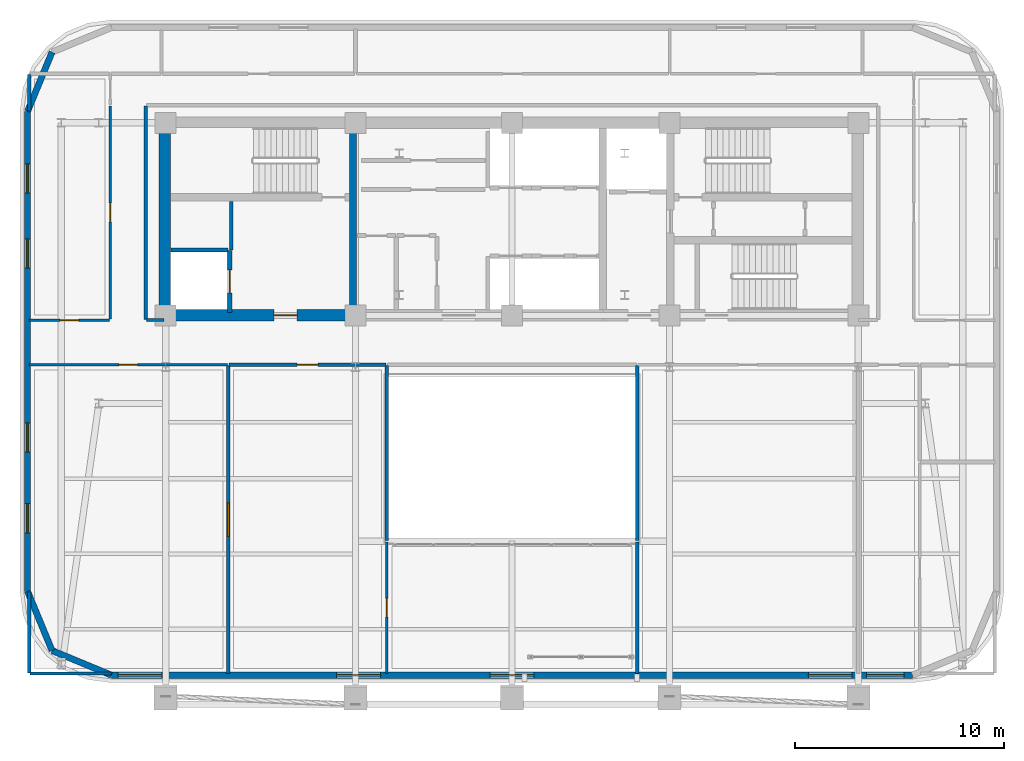
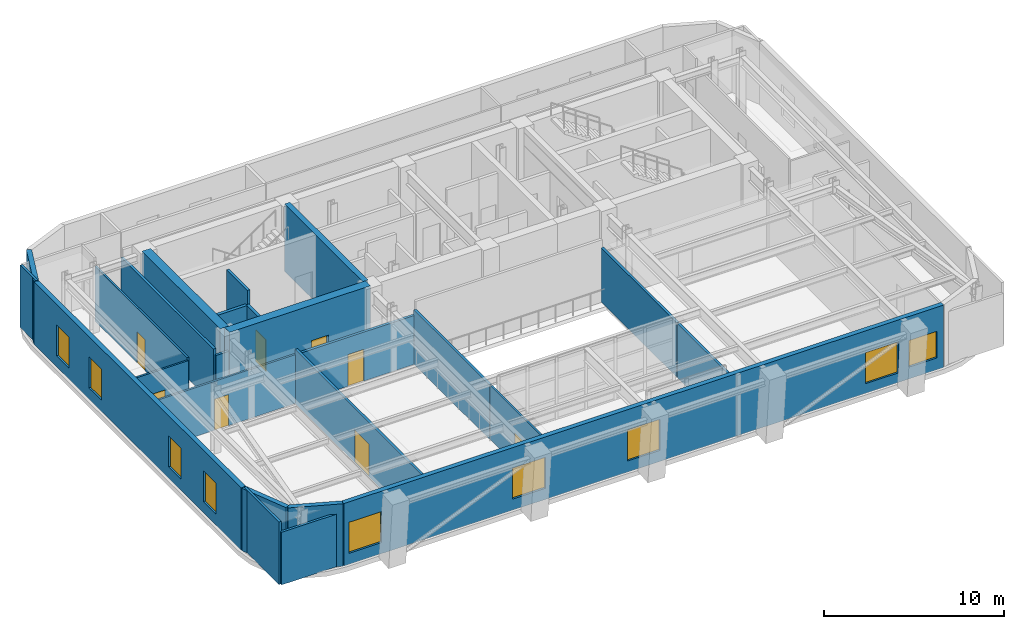
# One storey, part 6 of 13: 25 walls, 9 windows, 8 doors, 17 openings.
"""IFC4 building model written with IfcOpenShell, lengths in metres."""

from ifc_helpers import new_model, si_unit, direction, frame, frame_2d, origin, place, context, subcontext, project, spatial, rectangle, extrude, material, layer, layer_set, type_object, element, fill, save


model = new_model("IFC4")

# Units and contexts
model_context = context("Model", 3, precision=1e-05, world=origin(), true_north=direction((0.0, 1.0)))
body_context = subcontext(model_context, "Body", "Model", "MODEL_VIEW")
ifc_project = project(units=[si_unit("LENGTHUNIT", "METRE"), si_unit("AREAUNIT", "SQUARE_METRE"), si_unit("VOLUMEUNIT", "CUBIC_METRE"), si_unit("PLANEANGLEUNIT", "RADIAN"), si_unit("MASSUNIT", "GRAM", prefix="KILO")], contexts=[model_context])

# Site, building, storey
site_placement = place(None, origin())
site = spatial("IfcSite", under=ifc_project, at=site_placement, CompositionType="ELEMENT")
building_placement = place(site_placement, origin())
building = spatial("IfcBuilding", under=site, at=building_placement, Name="Zarnavel Station Tower", CompositionType="ELEMENT")
storey_placement = place(building_placement, frame((0.0, 0.0, 183.85009765625)))
storey = spatial("IfcBuildingStorey", under=building, at=storey_placement, Name="L50", CompositionType="ELEMENT", Elevation=183.85009765625)

# Wall
ifc_material_1 = material(Name="Concrete C50/60", Category="concrete")
ifc_layer_1 = layer(ifc_material_1, 0.35009765625)
ifc_layer_set_1 = layer_set([ifc_layer_1], Name="CW_350")
wall_type_1 = type_object("IfcWallType", Name="CW_350", PredefinedType="SHEAR", material=ifc_layer_set_1)
wall_1_placement = place(storey_placement, frame((21.179931640625, 28.094970703125, 0.0), z_axis=(0.0, 0.0, 1.0), x_axis=(0.0, 1.0, 0.0)))
element("IfcWall", 1, at=wall_1_placement, inside=storey, type_object=wall_type_1, Name="L50 Rear Core Shear Wall DIV-W", PredefinedType="SHEAR", context=body_context, shape_type="SweptSolid", body=[
    extrude(rectangle(XDim=8.679931640625, YDim=0.35009765625, at=frame_2d((4.33984375, 0.0))), origin(), (0.0, 0.0, 1.0), 4.5498046875),
])

# Wall, opening, door
ifc_material_2 = material(Name="Concrete C50/60", Category="concrete")
ifc_layer_2 = layer(ifc_material_2, 0.550048828125)
ifc_layer_set_2 = layer_set([ifc_layer_2], Name="CW_550")
wall_type_2 = type_object("IfcWallType", Name="CW_550", PredefinedType="SHEAR", material=ifc_layer_set_2)
wall_2_placement = place(storey_placement, frame((21.179931640625, 27.820068359375, 0.0), z_axis=(0.0, 0.0, 1.0), x_axis=(-1.0, 0.0, 0.0)))
wall_2 = element("IfcWall", 2, at=wall_2_placement, inside=storey, type_object=wall_type_2, Name="L50 Rear Core Shear Wall S-W", PredefinedType="SHEAR", context=body_context, shape_type="SweptSolid", body=[
    extrude(rectangle(XDim=9.030029296875, YDim=0.550048828125, at=frame_2d((4.51513671875, 0.0))), origin(), (0.0, 0.0, 1.0), 4.5498046875),
])
opening_1_placement = place(wall_2_placement, frame((2.679931640625, 0.0, 0.0)))
opening_1 = element("IfcOpeningElement", 3, at=opening_1_placement, cuts=wall_2, Name="Opening FD01", PredefinedType="OPENING", context=body_context, shape_type="SweptSolid", body=[
    extrude(rectangle(XDim=1.10009765625, YDim=2.14990234375, at=frame_2d((0.550048828125, 1.074951171875))), frame((0.0, 0.284912109375, 0.0), z_axis=(0.0, -1.0, 0.0), x_axis=(1.0, 0.0, 0.0)), (0.0, 0.0, 1.0), 0.570068359375),
])
ifc_material_3 = material(Name="Painted Galvanised Steel and Hardwood Leaf", Category="steel")
door_type_1 = type_object("IfcDoorType", Name="ID_STAIR_1100", OperationType="NOTDEFINED", PredefinedType="DOOR", material=ifc_material_3)
door_1_placement = place(opening_1_placement, origin())
door_1 = element("IfcDoor", 4, at=door_1_placement, inside=storey, type_object=door_type_1, Name="L50 West Firefighting Lobby Door", OperationType="SINGLE_SWING_RIGHT", OverallHeight=2.14990234375, OverallWidth=1.10009765625, PredefinedType="DOOR", context=body_context, shape_type="SweptSolid", body=[
    extrude(rectangle(XDim=1.10009765625, YDim=2.14990234375, at=frame_2d((0.550048828125, 1.074951171875))), frame((0.0, 0.02490234375, 0.0), z_axis=(0.0, -1.0, 0.0), x_axis=(1.0, 0.0, 0.0)), (0.0, 0.0, 1.0), 0.050048828125),
])
fill(opening_1, door_1)

# Walls
wall_3_placement = place(storey_placement, frame((12.14990234375, 28.094970703125, 0.0), z_axis=(0.0, 0.0, 1.0), x_axis=(0.0, 1.0, 0.0)))
element("IfcWall", 5, at=wall_3_placement, inside=storey, type_object=wall_type_2, Name="L50 Rear Core Shear Wall W", PredefinedType="SHEAR", context=body_context, shape_type="SweptSolid", body=[
    extrude(rectangle(XDim=8.679931640625, YDim=0.550048828125, at=frame_2d((4.33984375, 0.0))), origin(), (0.0, 0.0, 1.0), 4.5498046875),
])
ifc_material_4 = material(Name="Precast concrete C45/55 (Dark Basalt Finish)", Category="masonry")
ifc_layer_3 = layer(ifc_material_4, 0.300048828125)
ifc_layer_set_3 = layer_set([ifc_layer_3], Name="EW_BASALT_300")
wall_type_3 = type_object("IfcWallType", Name="EW_BASALT_300", PredefinedType="SOLIDWALL", material=ifc_layer_set_3)
wall_4_placement = place(storey_placement, frame((5.580078125, 37.60009765625, 0.0), z_axis=(0.0, 0.0, 1.0), x_axis=(0.382636798336, 0.92389884758, 0.0)))
element("IfcWall", 6, at=wall_4_placement, inside=storey, type_object=wall_type_3, Name="L50 Exterior Basalt Masonry Frame Wall 08", PredefinedType="SOLIDWALL", context=body_context, shape_type="SweptSolid", body=[
    extrude(rectangle(XDim=3.07666015625, YDim=0.300048828125, at=frame_2d((1.538330078125, 0.0))), origin(), (0.0, 0.0, 1.0), 4.22998046875),
])

# Wall, openings, windows
wall_5_placement = place(storey_placement, frame((5.580078125, 14.60009765625, 0.0), z_axis=(0.0, 0.0, 1.0), x_axis=(0.0, 1.0, 0.0)))
wall_5 = element("IfcWall", 7, at=wall_5_placement, inside=storey, type_object=wall_type_3, Name="L50 Exterior Basalt Masonry Frame Wall 09", PredefinedType="SOLIDWALL", context=body_context, shape_type="SweptSolid", body=[
    extrude(rectangle(XDim=23.0, YDim=0.300048828125, at=frame_2d((11.5, 0.0))), origin(), (0.0, 0.0, 1.0), 4.22998046875),
])
opening_2_placement = place(wall_5_placement, frame((2.796630859375, 0.0, 0.75)))
opening_2 = element("IfcOpeningElement", 8, at=opening_2_placement, cuts=wall_5, Name="Opening WN04", PredefinedType="OPENING", context=body_context, shape_type="SweptSolid", body=[
    extrude(rectangle(XDim=1.39990234375, YDim=2.10009765625, at=frame_2d((0.699951171875, 1.050048828125))), frame((0.0, 0.159912109375, 0.0), z_axis=(0.0, -1.0, 0.0), x_axis=(1.0, 0.0, 0.0)), (0.0, 0.0, 1.0), 0.320068359375),
])
opening_3_placement = place(wall_5_placement, frame((6.67333984375, 0.0, 0.75)))
opening_3 = element("IfcOpeningElement", 9, at=opening_3_placement, cuts=wall_5, Name="Opening WN04", PredefinedType="OPENING", context=body_context, shape_type="SweptSolid", body=[
    extrude(rectangle(XDim=1.39990234375, YDim=2.10009765625, at=frame_2d((0.699951171875, 1.050048828125))), frame((0.0, 0.159912109375, 0.0), z_axis=(0.0, -1.0, 0.0), x_axis=(1.0, 0.0, 0.0)), (0.0, 0.0, 1.0), 0.320068359375),
])
opening_4_placement = place(wall_5_placement, frame((15.493408203125, 0.0, 0.75)))
opening_4 = element("IfcOpeningElement", 10, at=opening_4_placement, cuts=wall_5, Name="Opening WN04", PredefinedType="OPENING", context=body_context, shape_type="SweptSolid", body=[
    extrude(rectangle(XDim=1.39990234375, YDim=2.10009765625, at=frame_2d((0.699951171875, 1.050048828125))), frame((0.0, 0.159912109375, 0.0), z_axis=(0.0, -1.0, 0.0), x_axis=(1.0, 0.0, 0.0)), (0.0, 0.0, 1.0), 0.320068359375),
])
opening_5_placement = place(wall_5_placement, frame((19.086669921875, 0.0, 0.75)))
opening_5 = element("IfcOpeningElement", 11, at=opening_5_placement, cuts=wall_5, Name="Opening WN04", PredefinedType="OPENING", context=body_context, shape_type="SweptSolid", body=[
    extrude(rectangle(XDim=1.39990234375, YDim=2.10009765625, at=frame_2d((0.699951171875, 1.050048828125))), frame((0.0, 0.159912109375, 0.0), z_axis=(0.0, -1.0, 0.0), x_axis=(1.0, 0.0, 0.0)), (0.0, 0.0, 1.0), 0.320068359375),
])
ifc_material_5 = material(Name="Thermally Broken Black Aluminium and Low-E Dark Glass", Category="aluminium")
window_type_1 = type_object("IfcWindowType", Name="WN_1400x2100", PartitioningType="DOUBLE_PANEL_VERTICAL", PredefinedType="WINDOW", material=ifc_material_5)
window_1_placement = place(opening_2_placement, origin())
window_1 = element("IfcWindow", 12, at=window_1_placement, inside=storey, type_object=window_type_1, Name="L50 Recessed Facade Window 01", OverallHeight=2.10009765625, OverallWidth=1.39990234375, PartitioningType="SINGLE_PANEL", PredefinedType="WINDOW", context=body_context, shape_type="SweptSolid", body=[
    extrude(rectangle(XDim=1.39990234375, YDim=2.10009765625, at=frame_2d((0.699951171875, 1.050048828125))), frame((0.0, 0.030029296875, 0.0), z_axis=(0.0, -1.0, 0.0), x_axis=(1.0, 0.0, 0.0)), (0.0, 0.0, 1.0), 0.06005859375),
])
fill(opening_2, window_1)
window_2_placement = place(opening_3_placement, origin())
window_2 = element("IfcWindow", 13, at=window_2_placement, inside=storey, type_object=window_type_1, Name="L50 Recessed Facade Window 02", OverallHeight=2.10009765625, OverallWidth=1.39990234375, PartitioningType="SINGLE_PANEL", PredefinedType="WINDOW", context=body_context, shape_type="SweptSolid", body=[
    extrude(rectangle(XDim=1.39990234375, YDim=2.10009765625, at=frame_2d((0.699951171875, 1.050048828125))), frame((0.0, 0.030029296875, 0.0), z_axis=(0.0, -1.0, 0.0), x_axis=(1.0, 0.0, 0.0)), (0.0, 0.0, 1.0), 0.06005859375),
])
fill(opening_3, window_2)
window_3_placement = place(opening_4_placement, origin())
window_3 = element("IfcWindow", 14, at=window_3_placement, inside=storey, type_object=window_type_1, Name="L50 Recessed Facade Window 03", OverallHeight=2.10009765625, OverallWidth=1.39990234375, PartitioningType="SINGLE_PANEL", PredefinedType="WINDOW", context=body_context, shape_type="SweptSolid", body=[
    extrude(rectangle(XDim=1.39990234375, YDim=2.10009765625, at=frame_2d((0.699951171875, 1.050048828125))), frame((0.0, 0.030029296875, 0.0), z_axis=(0.0, -1.0, 0.0), x_axis=(1.0, 0.0, 0.0)), (0.0, 0.0, 1.0), 0.06005859375),
])
fill(opening_4, window_3)
window_4_placement = place(opening_5_placement, origin())
window_4 = element("IfcWindow", 15, at=window_4_placement, inside=storey, type_object=window_type_1, Name="L50 Recessed Facade Window 04", OverallHeight=2.10009765625, OverallWidth=1.39990234375, PartitioningType="SINGLE_PANEL", PredefinedType="WINDOW", context=body_context, shape_type="SweptSolid", body=[
    extrude(rectangle(XDim=1.39990234375, YDim=2.10009765625, at=frame_2d((0.699951171875, 1.050048828125))), frame((0.0, 0.030029296875, 0.0), z_axis=(0.0, -1.0, 0.0), x_axis=(1.0, 0.0, 0.0)), (0.0, 0.0, 1.0), 0.06005859375),
])
fill(opening_5, window_4)

# Walls
for number, where, z_axis, x_axis, name in (
    (16, (6.75732421875, 11.75732421875, 0.0), (0.0, 0.0, 1.0), (-0.382608747773, 0.923910464346, 0.0), "L50 Exterior Basalt Masonry Frame Wall 10"),
    (17, (9.60009765625, 10.580078125, 0.0), (0.0, 0.0, 1.0), (-0.923910464346, 0.382608747773, 0.0), "L50 Exterior Basalt Masonry Frame Wall 11"),
):
    element("IfcWall", number, at=place(storey_placement, frame(where, z_axis=z_axis, x_axis=x_axis)), inside=storey, type_object=wall_type_3, Name=name, PredefinedType="SOLIDWALL", context=body_context, shape_type="SweptSolid", body=[
        extrude(rectangle(XDim=3.076904296875, YDim=0.300048828125, at=frame_2d((1.53857421875, 0.0))), origin(), (0.0, 0.0, 1.0), 4.22998046875),
    ])

# Wall, openings, windows
wall_6_placement = place(storey_placement, frame((48.0, 10.580078125, 0.0), z_axis=(0.0, 0.0, 1.0), x_axis=(-1.0, 0.0, 0.0)))
wall_6 = element("IfcWall", 18, at=wall_6_placement, inside=storey, type_object=wall_type_3, Name="L50 Exterior Basalt Masonry Frame Wall 12", PredefinedType="SOLIDWALL", context=body_context, shape_type="SweptSolid", body=[
    extrude(rectangle(XDim=38.39990234375, YDim=0.300048828125, at=frame_2d((19.199951171875, 0.0))), origin(), (0.0, 0.0, 1.0), 4.22998046875),
])
opening_6_placement = place(wall_6_placement, frame((35.97998046875, 0.0, 0.75)))
opening_6 = element("IfcOpeningElement", 19, at=opening_6_placement, cuts=wall_6, Name="Opening WN05", PredefinedType="OPENING", context=body_context, shape_type="SweptSolid", body=[
    extrude(rectangle(XDim=2.10009765625, YDim=2.10009765625, at=frame_2d((1.050048828125, 1.050048828125))), frame((0.0, 0.159912109375, 0.0), z_axis=(0.0, -1.0, 0.0), x_axis=(1.0, 0.0, 0.0)), (0.0, 0.0, 1.0), 0.320068359375),
])
opening_7_placement = place(wall_6_placement, frame((25.5, 0.0, 0.75)))
opening_7 = element("IfcOpeningElement", 20, at=opening_7_placement, cuts=wall_6, Name="Opening WN05", PredefinedType="OPENING", context=body_context, shape_type="SweptSolid", body=[
    extrude(rectangle(XDim=2.10009765625, YDim=2.10009765625, at=frame_2d((1.050048828125, 1.050048828125))), frame((0.0, 0.159912109375, 0.0), z_axis=(0.0, -1.0, 0.0), x_axis=(1.0, 0.0, 0.0)), (0.0, 0.0, 1.0), 0.320068359375),
])
opening_8_placement = place(wall_6_placement, frame((18.14990234375, 0.0, 0.75)))
opening_8 = element("IfcOpeningElement", 21, at=opening_8_placement, cuts=wall_6, Name="Opening WN05", PredefinedType="OPENING", context=body_context, shape_type="SweptSolid", body=[
    extrude(rectangle(XDim=2.10009765625, YDim=2.10009765625, at=frame_2d((1.050048828125, 1.050048828125))), frame((0.0, 0.159912109375, 0.0), z_axis=(0.0, -1.0, 0.0), x_axis=(1.0, 0.0, 0.0)), (0.0, 0.0, 1.0), 0.320068359375),
])
opening_9_placement = place(wall_6_placement, frame((2.89990234375, 0.0, 0.64990234375)))
opening_9 = element("IfcOpeningElement", 22, at=opening_9_placement, cuts=wall_6, Name="Opening WN05", PredefinedType="OPENING", context=body_context, shape_type="SweptSolid", body=[
    extrude(rectangle(XDim=2.10009765625, YDim=2.10009765625, at=frame_2d((1.050048828125, 1.050048828125))), frame((0.0, 0.159912109375, 0.0), z_axis=(0.0, -1.0, 0.0), x_axis=(1.0, 0.0, 0.0)), (0.0, 0.0, 1.0), 0.320068359375),
])
opening_10_placement = place(wall_6_placement, frame((0.409912109375, 0.0, 0.800048828125)))
opening_10 = element("IfcOpeningElement", 23, at=opening_10_placement, cuts=wall_6, Name="Opening WN02", PredefinedType="OPENING", context=body_context, shape_type="SweptSolid", body=[
    extrude(rectangle(XDim=1.800048828125, YDim=1.800048828125, at=frame_2d((0.89990234375, 0.89990234375))), frame((0.0, 0.159912109375, 0.0), z_axis=(0.0, -1.0, 0.0), x_axis=(1.0, 0.0, 0.0)), (0.0, 0.0, 1.0), 0.320068359375),
])
ifc_material_6 = material(Name="Thermally Broken Black Aluminium and Low-E Dark Glass", Category="aluminium")
window_type_2 = type_object("IfcWindowType", Name="WN_1800x1800", PartitioningType="DOUBLE_PANEL_VERTICAL", PredefinedType="WINDOW", material=ifc_material_6)
window_5_placement = place(opening_10_placement, origin())
window_5 = element("IfcWindow", 24, at=window_5_placement, inside=storey, type_object=window_type_2, Name="L50 Recessed Facade Window 05", OverallHeight=1.800048828125, OverallWidth=1.800048828125, PartitioningType="SINGLE_PANEL", PredefinedType="WINDOW", context=body_context, shape_type="SweptSolid", body=[
    extrude(rectangle(XDim=1.800048828125, YDim=1.800048828125, at=frame_2d((0.89990234375, 0.89990234375))), frame((0.0, 0.030029296875, 0.0), z_axis=(0.0, -1.0, 0.0), x_axis=(1.0, 0.0, 0.0)), (0.0, 0.0, 1.0), 0.06005859375),
])
fill(opening_10, window_5)
ifc_material_7 = material(Name="Thermally Broken Black Aluminium and Low-E Dark Glass", Category="aluminium")
window_type_3 = type_object("IfcWindowType", Name="WN_2100x2100", PartitioningType="TRIPLE_PANEL_VERTICAL", PredefinedType="WINDOW", material=ifc_material_7)
window_6_placement = place(opening_6_placement, origin())
window_6 = element("IfcWindow", 25, at=window_6_placement, inside=storey, type_object=window_type_3, Name="L50 Recessed Facade Window 01", OverallHeight=2.10009765625, OverallWidth=2.10009765625, PartitioningType="SINGLE_PANEL", PredefinedType="WINDOW", context=body_context, shape_type="SweptSolid", body=[
    extrude(rectangle(XDim=2.10009765625, YDim=2.10009765625, at=frame_2d((1.050048828125, 1.050048828125))), frame((0.0, 0.030029296875, 0.0), z_axis=(0.0, -1.0, 0.0), x_axis=(1.0, 0.0, 0.0)), (0.0, 0.0, 1.0), 0.06005859375),
])
fill(opening_6, window_6)
window_7_placement = place(opening_7_placement, origin())
window_7 = element("IfcWindow", 26, at=window_7_placement, inside=storey, type_object=window_type_3, Name="L50 Recessed Facade Window 02", OverallHeight=2.10009765625, OverallWidth=2.10009765625, PartitioningType="SINGLE_PANEL", PredefinedType="WINDOW", context=body_context, shape_type="SweptSolid", body=[
    extrude(rectangle(XDim=2.10009765625, YDim=2.10009765625, at=frame_2d((1.050048828125, 1.050048828125))), frame((0.0, 0.030029296875, 0.0), z_axis=(0.0, -1.0, 0.0), x_axis=(1.0, 0.0, 0.0)), (0.0, 0.0, 1.0), 0.06005859375),
])
fill(opening_7, window_7)
window_8_placement = place(opening_8_placement, origin())
window_8 = element("IfcWindow", 27, at=window_8_placement, inside=storey, type_object=window_type_3, Name="L50 Recessed Facade Window 03", OverallHeight=2.10009765625, OverallWidth=2.10009765625, PartitioningType="SINGLE_PANEL", PredefinedType="WINDOW", context=body_context, shape_type="SweptSolid", body=[
    extrude(rectangle(XDim=2.10009765625, YDim=2.10009765625, at=frame_2d((1.050048828125, 1.050048828125))), frame((0.0, 0.030029296875, 0.0), z_axis=(0.0, -1.0, 0.0), x_axis=(1.0, 0.0, 0.0)), (0.0, 0.0, 1.0), 0.06005859375),
])
fill(opening_8, window_8)
window_9_placement = place(opening_9_placement, origin())
window_9 = element("IfcWindow", 28, at=window_9_placement, inside=storey, type_object=window_type_3, Name="L50 Recessed Facade Window 04", OverallHeight=2.10009765625, OverallWidth=2.10009765625, PartitioningType="SINGLE_PANEL", PredefinedType="WINDOW", context=body_context, shape_type="SweptSolid", body=[
    extrude(rectangle(XDim=2.10009765625, YDim=2.10009765625, at=frame_2d((1.050048828125, 1.050048828125))), frame((0.0, 0.030029296875, 0.0), z_axis=(0.0, -1.0, 0.0), x_axis=(1.0, 0.0, 0.0)), (0.0, 0.0, 1.0), 0.06005859375),
])
fill(opening_9, window_9)

# Wall, opening, door
ifc_material_8 = material(Name="Gypsum Twin-Stud Acoustic Fire Partition", Category="concrete")
ifc_layer_4 = layer(ifc_material_8, 0.159912109375)
ifc_layer_set_4 = layer_set([ifc_layer_4], Name="PT_DEMISE_160")
wall_type_4 = type_object("IfcWallType", Name="PT_DEMISE_160", PredefinedType="PARTITIONING", material=ifc_layer_set_4)
wall_7_placement = place(storey_placement, frame((15.239990234375, 25.449951171875, 0.0), z_axis=(0.0, 0.0, 1.0), x_axis=(1.0, 0.0, 0.0)))
wall_7 = element("IfcWall", 29, at=wall_7_placement, inside=storey, type_object=wall_type_4, Name="L50 Partition SLCOR-S-SLLNG", PredefinedType="PARTITIONING", context=body_context, shape_type="SweptSolid", body=[
    extrude(rectangle(XDim=7.52001953125, YDim=0.159912109375, at=frame_2d((3.760009765625, 0.0))), origin(), (0.0, 0.0, 1.0), 3.309814453125),
])
opening_11_placement = place(wall_7_placement, frame((3.260009765625, 0.0, 0.0)))
opening_11 = element("IfcOpeningElement", 30, at=opening_11_placement, cuts=wall_7, Name="Opening FD02", PredefinedType="OPENING", context=body_context, shape_type="SweptSolid", body=[
    extrude(rectangle(XDim=1.0, YDim=2.14990234375, at=frame_2d((0.5, 1.074951171875))), frame((0.0, 0.08984375, 0.0), z_axis=(0.0, -1.0, 0.0), x_axis=(1.0, 0.0, 0.0)), (0.0, 0.0, 1.0), 0.179931640625),
])
ifc_material_9 = material(Name="Painted Galvanised Steel and Hardwood Leaf", Category="steel")
door_type_2 = type_object("IfcDoorType", Name="ID_ENTRY_1000", OperationType="NOTDEFINED", PredefinedType="DOOR", material=ifc_material_9)
door_2_placement = place(opening_11_placement, origin())
door_2 = element("IfcDoor", 31, at=door_2_placement, inside=storey, type_object=door_type_2, Name="L50 Door SLCOR-S-SLLNG", OperationType="SINGLE_SWING_RIGHT", OverallHeight=2.14990234375, OverallWidth=1.0, PredefinedType="DOOR", context=body_context, shape_type="SweptSolid", body=[
    extrude(rectangle(XDim=1.0, YDim=2.14990234375, at=frame_2d((0.5, 1.074951171875))), frame((0.0, 0.02490234375, 0.0), z_axis=(0.0, -1.0, 0.0), x_axis=(1.0, 0.0, 0.0)), (0.0, 0.0, 1.0), 0.050048828125),
])
fill(opening_11, door_2)

wall_8_placement = place(storey_placement, frame((15.199951171875, 10.659912109375, 0.0), z_axis=(0.0, 0.0, 1.0), x_axis=(0.0, 1.0, 0.0)))
wall_8 = element("IfcWall", 32, at=wall_8_placement, inside=storey, type_object=wall_type_4, Name="L50 Partition SLREC-SLLNG", PredefinedType="PARTITIONING", context=body_context, shape_type="SweptSolid", body=[
    extrude(rectangle(XDim=14.75, YDim=0.159912109375, at=frame_2d((7.375, 0.0))), origin(), (0.0, 0.0, 1.0), 3.659912109375),
])
opening_12_placement = place(wall_8_placement, frame((6.574951171875, 0.0, 0.0)))
opening_12 = element("IfcOpeningElement", 33, at=opening_12_placement, cuts=wall_8, Name="Opening ID03", PredefinedType="OPENING", context=body_context, shape_type="SweptSolid", body=[
    extrude(rectangle(XDim=1.60009765625, YDim=2.199951171875, at=frame_2d((0.800048828125, 1.10009765625))), frame((0.0, 0.08984375, 0.0), z_axis=(0.0, -1.0, 0.0), x_axis=(1.0, 0.0, 0.0)), (0.0, 0.0, 1.0), 0.179931640625),
])
ifc_material_10 = material(Name="Painted Galvanised Steel and Hardwood Leaf", Category="steel")
door_type_3 = type_object("IfcDoorType", Name="ID_PUBLIC_1600", OperationType="DOUBLE_DOOR_SINGLE_SWING", PredefinedType="DOOR", material=ifc_material_10)
door_3_placement = place(opening_12_placement, origin())
door_3 = element("IfcDoor", 34, at=door_3_placement, inside=storey, type_object=door_type_3, Name="L50 Door SLREC-SLLNG", OperationType="SINGLE_SWING_LEFT", OverallHeight=2.199951171875, OverallWidth=1.60009765625, PredefinedType="DOOR", context=body_context, shape_type="SweptSolid", body=[
    extrude(rectangle(XDim=1.60009765625, YDim=2.199951171875, at=frame_2d((0.800048828125, 1.10009765625))), frame((0.0, 0.02490234375, 0.0), z_axis=(0.0, -1.0, 0.0), x_axis=(1.0, 0.0, 0.0)), (0.0, 0.0, 1.0), 0.050048828125),
])
fill(opening_12, door_3)

# Walls
wall_9_placement = place(storey_placement, frame((34.800048828125, 10.659912109375, 0.0), z_axis=(0.0, 0.0, 1.0), x_axis=(0.0, 1.0, 0.0)))
element("IfcWall", 35, at=wall_9_placement, inside=storey, type_object=wall_type_4, Name="L50 Partition SLBAR-SLSAL", PredefinedType="PARTITIONING", context=body_context, shape_type="SweptSolid", body=[
    extrude(rectangle(XDim=6.300048828125, YDim=0.159912109375, at=frame_2d((3.14990234375, 0.0))), origin(), (0.0, 0.0, 1.0), 3.669921875),
])
wall_10_placement = place(storey_placement, frame((15.35009765625, 30.9599609375, 0.0), z_axis=(0.0, 0.0, 1.0), x_axis=(0.0, 1.0, 0.0)))
element("IfcWall", 36, at=wall_10_placement, inside=storey, type_object=wall_type_4, Name="L50 Enclosure Wall FFL1", PredefinedType="PARTITIONING", context=body_context, shape_type="SweptSolid", body=[
    extrude(rectangle(XDim=2.31005859375, YDim=0.159912109375, at=frame_2d((1.155029296875, 0.0))), origin(), (0.0, 0.0, 1.0), 4.22998046875),
])
wall_11_placement = place(storey_placement, frame((11.280029296875, 27.60009765625, 0.0), z_axis=(0.0, 0.0, 1.0), x_axis=(1.0, 0.0, 0.0)))
element("IfcWall", 37, at=wall_11_placement, inside=storey, type_object=wall_type_4, Name="L50 Enclosure Wall SLCOR-S", PredefinedType="PARTITIONING", context=body_context, shape_type="SweptSolid", body=[
    extrude(rectangle(XDim=0.840087890625, YDim=0.159912109375, at=frame_2d((0.419921875, 0.0))), origin(), (0.0, 0.0, 1.0), 3.2998046875),
])
wall_12_placement = place(storey_placement, frame((11.25, 27.6298828125, 0.0), z_axis=(0.0, 0.0, 1.0), x_axis=(0.0, 1.0, 0.0)))
element("IfcWall", 38, at=wall_12_placement, inside=storey, type_object=wall_type_4, Name="L50 Enclosure Wall SLCOR-W", PredefinedType="PARTITIONING", context=body_context, shape_type="SweptSolid", body=[
    extrude(rectangle(XDim=10.240234375, YDim=0.159912109375, at=frame_2d((5.1201171875, 0.0))), origin(), (0.0, 0.0, 1.0), 3.7099609375),
])
wall_13_placement = place(storey_placement, frame((5.68994140625, 10.659912109375, 0.0), z_axis=(0.0, 0.0, 1.0), x_axis=(1.0, 0.0, 0.0)))
element("IfcWall", 39, at=wall_13_placement, inside=storey, type_object=wall_type_4, Name="L50 Enclosure Wall SLREC", PredefinedType="PARTITIONING", context=body_context, shape_type="SweptSolid", body=[
    extrude(rectangle(XDim=3.880126953125, YDim=0.159912109375, at=frame_2d((1.93994140625, 0.0))), origin(), (0.0, 0.0, 1.0), 3.559814453125),
])
wall_14_placement = place(storey_placement, frame((5.659912109375, 10.68994140625, 0.0), z_axis=(0.0, 0.0, 1.0), x_axis=(0.0, 1.0, 0.0)))
element("IfcWall", 40, at=wall_14_placement, inside=storey, type_object=wall_type_4, Name="L50 Enclosure Wall SLREC", PredefinedType="PARTITIONING", context=body_context, shape_type="SweptSolid", body=[
    extrude(rectangle(XDim=3.880126953125, YDim=0.159912109375, at=frame_2d((1.93994140625, 0.0))), origin(), (0.0, 0.0, 1.0), 4.22998046875),
])
for number, where, z_axis, x_axis, name in (
    (41, (22.800048828125, 17.030029296875, 0.0), (0.0, 0.0, 1.0), (0.0, 1.0, 0.0), "L50 Enclosure Wall SLLNG"),
    (42, (34.800048828125, 17.030029296875, 0.0), (0.0, 0.0, 1.0), (0.0, 1.0, 0.0), "L50 Enclosure Wall SLSAL"),
):
    element("IfcWall", number, at=place(storey_placement, frame(where, z_axis=z_axis, x_axis=x_axis)), inside=storey, type_object=wall_type_4, Name=name, PredefinedType="PARTITIONING", context=body_context, shape_type="SweptSolid", body=[
        extrude(rectangle(XDim=8.389892578125, YDim=0.159912109375, at=frame_2d((4.19482421875, 0.0))), origin(), (0.0, 0.0, 1.0), 3.669921875),
    ])
wall_15_placement = place(storey_placement, frame((5.659912109375, 37.6298828125, 0.0), z_axis=(0.0, 0.0, 1.0), x_axis=(0.0, 1.0, 0.0)))
element("IfcWall", 43, at=wall_15_placement, inside=storey, type_object=wall_type_4, Name="L50 Enclosure Wall SLNW", PredefinedType="PARTITIONING", context=body_context, shape_type="SweptSolid", body=[
    extrude(rectangle(XDim=1.740234375, YDim=0.159912109375, at=frame_2d((0.8701171875, 0.0))), origin(), (0.0, 0.0, 1.0), 4.22998046875),
])

# Wall, opening, door
ifc_material_11 = material(Name="Gypsum Metal-Stud Interior Partition", Category="concrete")
ifc_layer_5 = layer(ifc_material_11, 0.1201171875)
ifc_layer_set_5 = layer_set([ifc_layer_5], Name="PT_ROOM_120")
wall_type_5 = type_object("IfcWallType", Name="PT_ROOM_120", PredefinedType="PARTITIONING", material=ifc_layer_set_5)
wall_16_placement = place(storey_placement, frame((5.659912109375, 25.449951171875, 0.0), z_axis=(0.0, 0.0, 1.0), x_axis=(1.0, 0.0, 0.0)))
wall_16 = element("IfcWall", 44, at=wall_16_placement, inside=storey, type_object=wall_type_5, Name="L50 Partition SLCOR-S-SLREC", PredefinedType="PARTITIONING", context=body_context, shape_type="SweptSolid", body=[
    extrude(rectangle(XDim=9.5, YDim=0.1201171875, at=frame_2d((4.75, 0.0))), origin(), (0.0, 0.0, 1.0), 3.309814453125),
])
opening_13_placement = place(wall_16_placement, frame((4.300048828125, 0.0, 0.0)))
opening_13 = element("IfcOpeningElement", 45, at=opening_13_placement, cuts=wall_16, Name="Opening ID01", PredefinedType="OPENING", context=body_context, shape_type="SweptSolid", body=[
    extrude(rectangle(XDim=0.89990234375, YDim=2.10009765625, at=frame_2d((0.449951171875, 1.050048828125))), frame((0.0, 0.070068359375, 0.0), z_axis=(0.0, -1.0, 0.0), x_axis=(1.0, 0.0, 0.0)), (0.0, 0.0, 1.0), 0.14013671875),
])
ifc_material_12 = material(Name="Painted Galvanised Steel and Hardwood Leaf", Category="steel")
door_type_4 = type_object("IfcDoorType", Name="ID_ROOM_900", OperationType="NOTDEFINED", PredefinedType="DOOR", material=ifc_material_12)
door_4_placement = place(opening_13_placement, origin())
door_4 = element("IfcDoor", 46, at=door_4_placement, inside=storey, type_object=door_type_4, Name="L50 Door SLCOR-S-SLREC", OperationType="SINGLE_SWING_LEFT", OverallHeight=2.10009765625, OverallWidth=0.89990234375, PredefinedType="DOOR", context=body_context, shape_type="SweptSolid", body=[
    extrude(rectangle(XDim=0.89990234375, YDim=2.10009765625, at=frame_2d((0.449951171875, 1.050048828125))), frame((0.0, 0.02490234375, 0.0), z_axis=(0.0, -1.0, 0.0), x_axis=(1.0, 0.0, 0.0)), (0.0, 0.0, 1.0), 0.050048828125),
])
fill(opening_13, door_4)

wall_17_placement = place(storey_placement, frame((5.659912109375, 27.60009765625, 0.0), z_axis=(0.0, 0.0, 1.0), x_axis=(1.0, 0.0, 0.0)))
wall_17 = element("IfcWall", 47, at=wall_17_placement, inside=storey, type_object=wall_type_5, Name="L50 Partition SLCOR-S-SLNW", PredefinedType="PARTITIONING", context=body_context, shape_type="SweptSolid", body=[
    extrude(rectangle(XDim=3.85009765625, YDim=0.1201171875, at=frame_2d((1.925048828125, 0.0))), origin(), (0.0, 0.0, 1.0), 3.559814453125),
])
opening_14_placement = place(wall_17_placement, frame((1.47509765625, 0.0, 0.0)))
opening_14 = element("IfcOpeningElement", 48, at=opening_14_placement, cuts=wall_17, Name="Opening ID01", PredefinedType="OPENING", context=body_context, shape_type="SweptSolid", body=[
    extrude(rectangle(XDim=0.89990234375, YDim=2.10009765625, at=frame_2d((0.449951171875, 1.050048828125))), frame((0.0, 0.070068359375, 0.0), z_axis=(0.0, -1.0, 0.0), x_axis=(1.0, 0.0, 0.0)), (0.0, 0.0, 1.0), 0.14013671875),
])
door_5_placement = place(opening_14_placement, origin())
door_5 = element("IfcDoor", 49, at=door_5_placement, inside=storey, type_object=door_type_4, Name="L50 Door SLCOR-S-SLNW", OperationType="SINGLE_SWING_RIGHT", OverallHeight=2.10009765625, OverallWidth=0.89990234375, PredefinedType="DOOR", context=body_context, shape_type="SweptSolid", body=[
    extrude(rectangle(XDim=0.89990234375, YDim=2.10009765625, at=frame_2d((0.449951171875, 1.050048828125))), frame((0.0, 0.02490234375, 0.0), z_axis=(0.0, -1.0, 0.0), x_axis=(1.0, 0.0, 0.0)), (0.0, 0.0, 1.0), 0.050048828125),
])
fill(opening_14, door_5)

wall_18_placement = place(storey_placement, frame((9.550048828125, 27.639892578125, 0.0), z_axis=(0.0, 0.0, 1.0), x_axis=(0.0, 1.0, 0.0)))
wall_18 = element("IfcWall", 50, at=wall_18_placement, inside=storey, type_object=wall_type_5, Name="L50 Partition SLCOR-W-SLNW", PredefinedType="PARTITIONING", context=body_context, shape_type="SweptSolid", body=[
    extrude(rectangle(XDim=10.22021484375, YDim=0.1201171875, at=frame_2d((5.110107421875, 0.0))), origin(), (0.0, 0.0, 1.0), 3.7099609375),
])
opening_15_placement = place(wall_18_placement, frame((4.659912109375, 0.0, 0.0)))
opening_15 = element("IfcOpeningElement", 51, at=opening_15_placement, cuts=wall_18, Name="Opening ID01", PredefinedType="OPENING", context=body_context, shape_type="SweptSolid", body=[
    extrude(rectangle(XDim=0.89990234375, YDim=2.10009765625, at=frame_2d((0.449951171875, 1.050048828125))), frame((0.0, 0.070068359375, 0.0), z_axis=(0.0, -1.0, 0.0), x_axis=(1.0, 0.0, 0.0)), (0.0, 0.0, 1.0), 0.14013671875),
])
door_6_placement = place(opening_15_placement, origin())
door_6 = element("IfcDoor", 52, at=door_6_placement, inside=storey, type_object=door_type_4, Name="L50 Door SLCOR-W-SLNW", OperationType="SINGLE_SWING_RIGHT", OverallHeight=2.10009765625, OverallWidth=0.89990234375, PredefinedType="DOOR", context=body_context, shape_type="SweptSolid", body=[
    extrude(rectangle(XDim=0.89990234375, YDim=2.10009765625, at=frame_2d((0.449951171875, 1.050048828125))), frame((0.0, 0.02490234375, 0.0), z_axis=(0.0, -1.0, 0.0), x_axis=(1.0, 0.0, 0.0)), (0.0, 0.0, 1.0), 0.050048828125),
])
fill(opening_15, door_6)

wall_19_placement = place(storey_placement, frame((22.800048828125, 10.659912109375, 0.0), z_axis=(0.0, 0.0, 1.0), x_axis=(0.0, 1.0, 0.0)))
wall_19 = element("IfcWall", 53, at=wall_19_placement, inside=storey, type_object=wall_type_5, Name="L50 Partition SLLNG-SLBAR", PredefinedType="PARTITIONING", context=body_context, shape_type="SweptSolid", body=[
    extrude(rectangle(XDim=6.300048828125, YDim=0.1201171875, at=frame_2d((3.14990234375, 0.0))), origin(), (0.0, 0.0, 1.0), 3.669921875),
])
opening_16_placement = place(wall_19_placement, frame((2.699951171875, 0.0, 0.0)))
opening_16 = element("IfcOpeningElement", 54, at=opening_16_placement, cuts=wall_19, Name="Opening ID01", PredefinedType="OPENING", context=body_context, shape_type="SweptSolid", body=[
    extrude(rectangle(XDim=0.89990234375, YDim=2.10009765625, at=frame_2d((0.449951171875, 1.050048828125))), frame((0.0, 0.070068359375, 0.0), z_axis=(0.0, -1.0, 0.0), x_axis=(1.0, 0.0, 0.0)), (0.0, 0.0, 1.0), 0.14013671875),
])
door_7_placement = place(opening_16_placement, origin())
door_7 = element("IfcDoor", 55, at=door_7_placement, inside=storey, type_object=door_type_4, Name="L50 Door SLLNG-SLBAR", OperationType="SINGLE_SWING_RIGHT", OverallHeight=2.10009765625, OverallWidth=0.89990234375, PredefinedType="DOOR", context=body_context, shape_type="SweptSolid", body=[
    extrude(rectangle(XDim=0.89990234375, YDim=2.10009765625, at=frame_2d((0.449951171875, 1.050048828125))), frame((0.0, 0.02490234375, 0.0), z_axis=(0.0, -1.0, 0.0), x_axis=(1.0, 0.0, 0.0)), (0.0, 0.0, 1.0), 0.050048828125),
])
fill(opening_16, door_7)

ifc_material_13 = material(Name="Precast concrete C45/55 (Fire Shaft Blockwork)", Category="masonry")
ifc_layer_6 = layer(ifc_material_13, 0.199951171875)
ifc_layer_set_6 = layer_set([ifc_layer_6], Name="PT_SHAFT_200")
wall_type_6 = type_object("IfcWallType", Name="PT_SHAFT_200", PredefinedType="PARTITIONING", material=ifc_layer_set_6)
wall_20_placement = place(storey_placement, frame((15.27001953125, 27.969970703125, 0.0), z_axis=(0.0, 0.0, 1.0), x_axis=(0.0, 1.0, 0.0)))
wall_20 = element("IfcWall", 56, at=wall_20_placement, inside=storey, type_object=wall_type_6, Name="L50 Lift FFL-01 Shaft Front Wall", PredefinedType="PARTITIONING", context=body_context, shape_type="SweptSolid", body=[
    extrude(rectangle(XDim=2.9599609375, YDim=0.199951171875, at=frame_2d((1.47998046875, 0.0))), origin(), (0.0, 0.0, 1.0), 3.2998046875),
])
opening_17_placement = place(wall_20_placement, frame((0.929931640625, 0.0, 0.0)))
opening_17 = element("IfcOpeningElement", 57, at=opening_17_placement, cuts=wall_20, Name="Opening LD01", PredefinedType="OPENING", context=body_context, shape_type="SweptSolid", body=[
    extrude(rectangle(XDim=1.10009765625, YDim=2.14990234375, at=frame_2d((0.550048828125, 1.074951171875))), frame((0.0, 0.10986328125, 0.0), z_axis=(0.0, -1.0, 0.0), x_axis=(1.0, 0.0, 0.0)), (0.0, 0.0, 1.0), 0.219970703125),
])
ifc_material_14 = material(Name="Painted Galvanised Steel and Hardwood Leaf", Category="steel")
door_type_5 = type_object("IfcDoorType", Name="LD_FF_1100", OperationType="DOUBLE_DOOR_SLIDING", PredefinedType="DOOR", material=ifc_material_14)
door_8_placement = place(opening_17_placement, origin())
door_8 = element("IfcDoor", 58, at=door_8_placement, inside=storey, type_object=door_type_5, Name="L50 Lift FFL-01 Sliding Landing Door", OperationType="DOUBLE_DOOR_SLIDING", OverallHeight=2.14990234375, OverallWidth=1.10009765625, PredefinedType="DOOR", context=body_context, shape_type="SweptSolid", body=[
    extrude(rectangle(XDim=1.10009765625, YDim=2.14990234375, at=frame_2d((0.550048828125, 1.074951171875))), frame((0.0, 0.02490234375, 0.0), z_axis=(0.0, -1.0, 0.0), x_axis=(1.0, 0.0, 0.0)), (0.0, 0.0, 1.0), 0.050048828125),
])
fill(opening_17, door_8)

# Wall
wall_21_placement = place(storey_placement, frame((12.449951171875, 30.949951171875, 0.0), z_axis=(0.0, 0.0, 1.0), x_axis=(1.0, 0.0, 0.0)))
element("IfcWall", 59, at=wall_21_placement, inside=storey, type_object=wall_type_6, Name="L50 Lift FFL-01 North Shaft Wall", PredefinedType="PARTITIONING", context=body_context, shape_type="SweptSolid", body=[
    extrude(rectangle(XDim=2.75, YDim=0.199951171875, at=frame_2d((1.375, 0.0))), origin(), (0.0, 0.0, 1.0), 3.2998046875),
])

save(model, "model.ifc")
